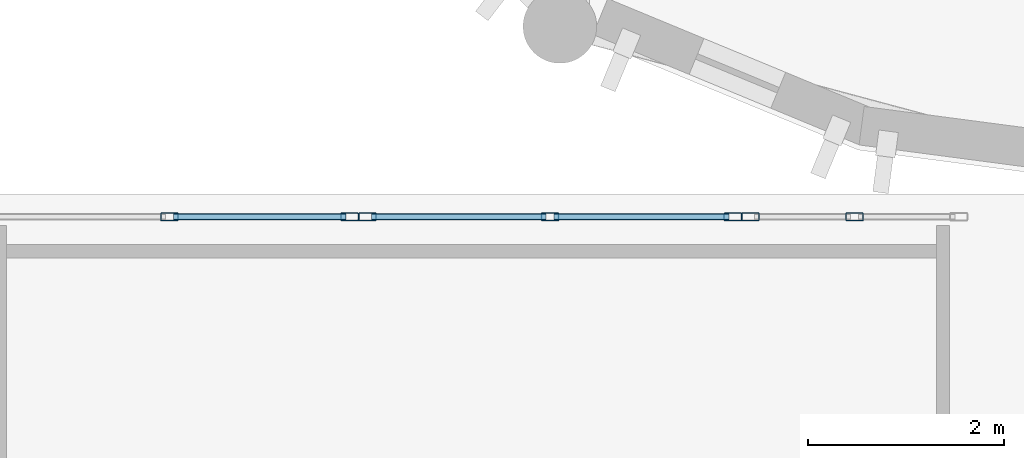
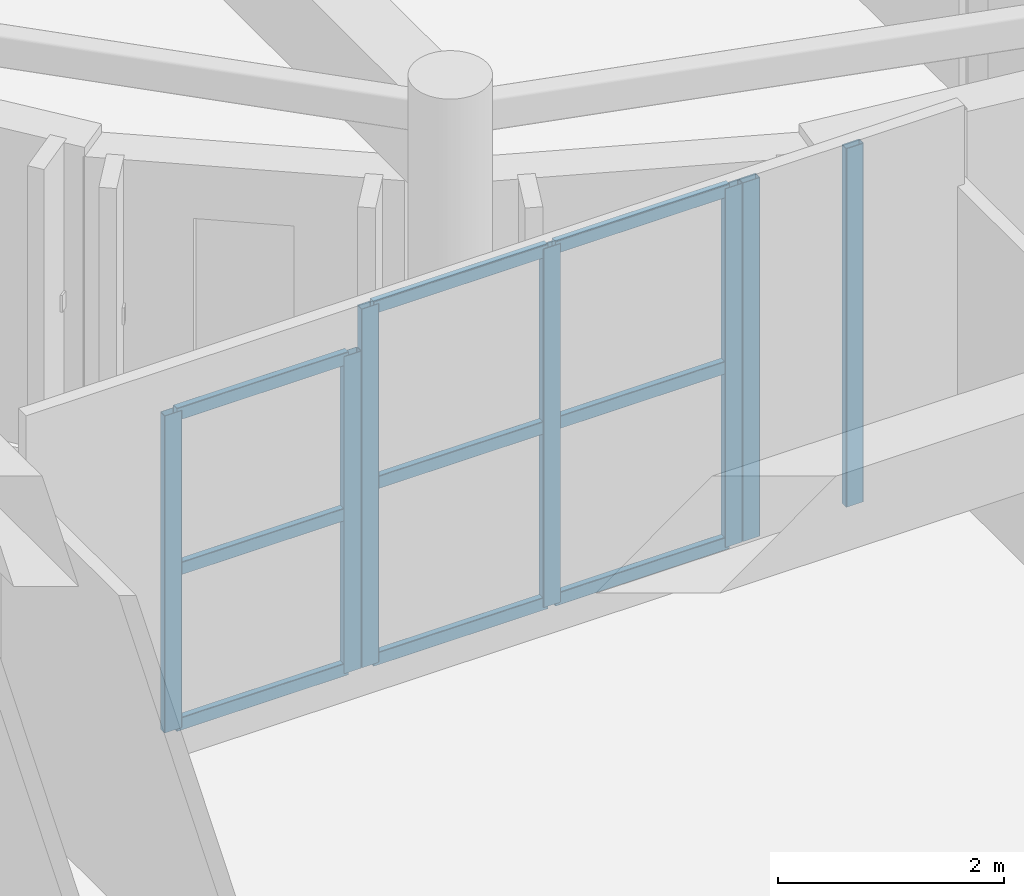
# One storey, part 37 of 91: 16 members, 3 elements without a shape of their own.
"""IFC4 building model written with IfcOpenShell, lengths in metres."""

from ifc_helpers import new_model, si_unit, direction, frame, origin, origin_2d, place, context, subcontext, project, spatial, hollow_rectangle, extrude, material, layer, layer_set, material_profile, profile_set, type_object, element, aggregate, save


model = new_model("IFC4")

# Units and contexts
model_context = context("Model", 3, precision=1e-05, world=origin(), true_north=direction((0.0, 1.0)))
body_context = subcontext(model_context, "Body", "Model", "MODEL_VIEW")
ifc_project = project(units=[si_unit("LENGTHUNIT", "METRE"), si_unit("AREAUNIT", "SQUARE_METRE"), si_unit("VOLUMEUNIT", "CUBIC_METRE"), si_unit("PLANEANGLEUNIT", "RADIAN"), si_unit("MASSUNIT", "GRAM", prefix="KILO")], contexts=[model_context])

# Site, building, storey
site_placement = place(None, origin())
site = spatial("IfcSite", under=ifc_project, at=site_placement, CompositionType="ELEMENT")
building_placement = place(site_placement, origin())
building = spatial("IfcBuilding", under=site, at=building_placement, Name="Tarnavel Promenade Courthouse", CompositionType="ELEMENT")
storey_placement = place(building_placement, frame((0.0, 0.0, 9.89990234375)))
storey = spatial("IfcBuildingStorey", under=building, at=storey_placement, Name="L03", CompositionType="ELEMENT", Elevation=9.89990234375)

# Curtain wall, members
ifc_material_1 = material(Name="Thermally Broken Anodised Aluminium Curtain Wall System", Category="aluminium")
ifc_layer = layer(ifc_material_1, 0.2099609375)
ifc_layer_set = layer_set([ifc_layer], Name="Thermally Broken Anodised Aluminium Curtain Wall System")
curtain_wall_type = type_object("IfcCurtainWallType", Name="Thermally Broken Aluminium Triple-Glazed Curtain Wall CW-WG-N", PredefinedType="NOTDEFINED", material=ifc_layer_set)
curtain_wall_1_placement = place(storey_placement, origin())
curtain_wall_1 = element("IfcCurtainWall", 1, at=curtain_wall_1_placement, inside=storey, type_object=curtain_wall_type, Name="L03 Winter-Garden North Curtain Wall 114", PredefinedType="NOTDEFINED")
ifc_material_2 = material(Name="Thermally Broken Anodised Aluminium Frame", Category="aluminium")
ifc_material_profile_1 = material_profile(ifc_material_2, hollow_rectangle(XDim=0.080078125, YDim=0.179931640625, WallThickness=0.0048828125, InnerFilletRadius=0.0048828125, OuterFilletRadius=0.010009765625, at=origin_2d()), Name="CWM 180x80x5")
ifc_profile_set_1 = profile_set([ifc_material_profile_1], Name="Thermally Broken Anodised Aluminium Frame")
member_type_1 = type_object("IfcMemberType", Name="Thermally Broken Anodised Aluminium CWM-155 (CWM 180x80x5)", PredefinedType="MULLION", material=ifc_profile_set_1)
member_1_placement = place(storey_placement, frame((48.52490234375, 78.949951171875, 0.0), z_axis=(0.0, 0.0, 1.0), x_axis=(0.0, 1.0, 0.0)))
member_1 = element("IfcMember", 2, at=member_1_placement, type_object=member_type_1, Name="CW-03 mullion 2", PredefinedType="MULLION", context=body_context, shape_type="SweptSolid", body=[
    extrude(hollow_rectangle(XDim=0.080078125, YDim=0.179931640625, WallThickness=0.0048828125, InnerFilletRadius=0.0048828125, OuterFilletRadius=0.010009765625, at=origin_2d()), origin(), (0.0, 0.0, 1.0), 3.43017578125),
])
member_2_placement = place(storey_placement, frame((50.360107421875, 78.949951171875, 0.0), z_axis=(0.0, 0.0, 1.0), x_axis=(0.0, 1.0, 0.0)))
member_2 = element("IfcMember", 3, at=member_2_placement, type_object=member_type_1, Name="CW-03 mullion 3", PredefinedType="MULLION", context=body_context, shape_type="SweptSolid", body=[
    extrude(hollow_rectangle(XDim=0.080078125, YDim=0.179931640625, WallThickness=0.0048828125, InnerFilletRadius=0.0048828125, OuterFilletRadius=0.010009765625, at=origin_2d()), origin(), (0.0, 0.0, 1.0), 3.43017578125),
])

curtain_wall_2_placement = place(storey_placement, origin())
curtain_wall_2 = element("IfcCurtainWall", 4, at=curtain_wall_2_placement, inside=storey, type_object=curtain_wall_type, Name="L03 Winter-Garden North Curtain Wall 115", PredefinedType="NOTDEFINED")
member_3_placement = place(storey_placement, frame((50.5400390625, 78.949951171875, 0.0), z_axis=(0.0, 0.0, 1.0), x_axis=(0.0, 1.0, 0.0)))
member_3 = element("IfcMember", 5, at=member_3_placement, type_object=member_type_1, Name="CW-03 mullion 1", PredefinedType="MULLION", context=body_context, shape_type="SweptSolid", body=[
    extrude(hollow_rectangle(XDim=0.080078125, YDim=0.179931640625, WallThickness=0.0048828125, InnerFilletRadius=0.0048828125, OuterFilletRadius=0.010009765625, at=origin_2d()), origin(), (0.0, 0.0, 1.0), 3.880126953125),
])
member_4_placement = place(storey_placement, frame((52.39990234375, 78.949951171875, 0.0), z_axis=(0.0, 0.0, 1.0), x_axis=(0.0, 1.0, 0.0)))
member_4 = element("IfcMember", 6, at=member_4_placement, type_object=member_type_1, Name="CW-03 mullion 2", PredefinedType="MULLION", context=body_context, shape_type="SweptSolid", body=[
    extrude(hollow_rectangle(XDim=0.080078125, YDim=0.179931640625, WallThickness=0.0048828125, InnerFilletRadius=0.0048828125, OuterFilletRadius=0.010009765625, at=origin_2d()), origin(), (0.0, 0.0, 1.0), 3.880126953125),
])
member_5_placement = place(storey_placement, frame((54.260009765625, 78.949951171875, 0.0), z_axis=(0.0, 0.0, 1.0), x_axis=(0.0, 1.0, 0.0)))
member_5 = element("IfcMember", 7, at=member_5_placement, type_object=member_type_1, Name="CW-03 mullion 3", PredefinedType="MULLION", context=body_context, shape_type="SweptSolid", body=[
    extrude(hollow_rectangle(XDim=0.080078125, YDim=0.179931640625, WallThickness=0.0048828125, InnerFilletRadius=0.0048828125, OuterFilletRadius=0.010009765625, at=origin_2d()), origin(), (0.0, 0.0, 1.0), 3.880126953125),
])

curtain_wall_3_placement = place(storey_placement, origin())
curtain_wall_3 = element("IfcCurtainWall", 8, at=curtain_wall_3_placement, inside=storey, type_object=curtain_wall_type, Name="L03 Winter-Garden North Curtain Wall 116", PredefinedType="NOTDEFINED")
member_6_placement = place(storey_placement, frame((54.43994140625, 78.949951171875, 0.0), z_axis=(0.0, 0.0, 1.0), x_axis=(0.0, 1.0, 0.0)))
member_6 = element("IfcMember", 9, at=member_6_placement, type_object=member_type_1, Name="CW-03 mullion 1", PredefinedType="MULLION", context=body_context, shape_type="SweptSolid", body=[
    extrude(hollow_rectangle(XDim=0.080078125, YDim=0.179931640625, WallThickness=0.0048828125, InnerFilletRadius=0.0048828125, OuterFilletRadius=0.010009765625, at=origin_2d()), origin(), (0.0, 0.0, 1.0), 3.880126953125),
])
member_7_placement = place(storey_placement, frame((55.5, 78.949951171875, 0.0), z_axis=(0.0, 0.0, 1.0), x_axis=(0.0, 1.0, 0.0)))
member_7 = element("IfcMember", 10, at=member_7_placement, type_object=member_type_1, Name="CW-03 mullion 2", PredefinedType="MULLION", context=body_context, shape_type="SweptSolid", body=[
    extrude(hollow_rectangle(XDim=0.080078125, YDim=0.179931640625, WallThickness=0.0048828125, InnerFilletRadius=0.0048828125, OuterFilletRadius=0.010009765625, at=origin_2d()), origin(), (0.0, 0.0, 1.0), 3.880126953125),
])
aggregate(curtain_wall_3, [member_6, member_7])

# Member
ifc_material_profile_2 = material_profile(ifc_material_2, hollow_rectangle(XDim=0.070068359375, YDim=0.139892578125, WallThickness=0.0048828125, InnerFilletRadius=0.0048828125, OuterFilletRadius=0.010009765625, at=origin_2d()), Name="CWT 140x70x5")
ifc_profile_set_2 = profile_set([ifc_material_profile_2], Name="Thermally Broken Anodised Aluminium Frame")
member_type_2 = type_object("IfcMemberType", Name="Thermally Broken Anodised Aluminium CWT-125 (CWT 140x70x5)", PredefinedType="USERDEFINED", material=ifc_profile_set_2)
member_8_placement = place(storey_placement, frame((48.56494140625, 78.949951171875, 0.03515625), z_axis=(1.0, 0.0, 0.0), x_axis=(0.0, 1.0, 0.0)))
member_8 = element("IfcMember", 11, at=member_8_placement, type_object=member_type_2, Name="CW-03 transom 2.1", ObjectType="TRANSOM", PredefinedType="USERDEFINED", context=body_context, shape_type="SweptSolid", body=[
    extrude(hollow_rectangle(XDim=0.070068359375, YDim=0.139892578125, WallThickness=0.0048828125, InnerFilletRadius=0.0048828125, OuterFilletRadius=0.010009765625, at=origin_2d()), origin(), (0.0, 0.0, 1.0), 1.755126953125),
])

member_9_placement = place(storey_placement, frame((48.56494140625, 78.949951171875, 1.715087890625), z_axis=(1.0, 0.0, 0.0), x_axis=(0.0, 1.0, 0.0)))
member_9 = element("IfcMember", 12, at=member_9_placement, type_object=member_type_2, Name="CW-03 transom 2.2", ObjectType="TRANSOM", PredefinedType="USERDEFINED", context=body_context, shape_type="SweptSolid", body=[
    extrude(hollow_rectangle(XDim=0.070068359375, YDim=0.139892578125, WallThickness=0.0048828125, InnerFilletRadius=0.0048828125, OuterFilletRadius=0.010009765625, at=origin_2d()), origin(), (0.0, 0.0, 1.0), 1.755126953125),
])

member_10_placement = place(storey_placement, frame((48.56494140625, 78.949951171875, 3.39501953125), z_axis=(1.0, 0.0, 0.0), x_axis=(0.0, 1.0, 0.0)))
member_10 = element("IfcMember", 13, at=member_10_placement, type_object=member_type_2, Name="CW-03 transom 2.3", ObjectType="TRANSOM", PredefinedType="USERDEFINED", context=body_context, shape_type="SweptSolid", body=[
    extrude(hollow_rectangle(XDim=0.070068359375, YDim=0.139892578125, WallThickness=0.0048828125, InnerFilletRadius=0.0048828125, OuterFilletRadius=0.010009765625, at=origin_2d()), origin(), (0.0, 0.0, 1.0), 1.755126953125),
])

aggregate(curtain_wall_1, [member_1, member_2, member_8, member_9, member_10])

member_11_placement = place(storey_placement, frame((50.580078125, 78.949951171875, 0.03515625), z_axis=(1.0, 0.0, 0.0), x_axis=(0.0, 1.0, 0.0)))
member_11 = element("IfcMember", 14, at=member_11_placement, type_object=member_type_2, Name="CW-03 transom 1.1", ObjectType="TRANSOM", PredefinedType="USERDEFINED", context=body_context, shape_type="SweptSolid", body=[
    extrude(hollow_rectangle(XDim=0.070068359375, YDim=0.139892578125, WallThickness=0.0048828125, InnerFilletRadius=0.0048828125, OuterFilletRadius=0.010009765625, at=origin_2d()), origin(), (0.0, 0.0, 1.0), 1.780029296875),
])

member_12_placement = place(storey_placement, frame((50.580078125, 78.949951171875, 1.940185546875), z_axis=(1.0, 0.0, 0.0), x_axis=(0.0, 1.0, 0.0)))
member_12 = element("IfcMember", 15, at=member_12_placement, type_object=member_type_2, Name="CW-03 transom 1.2", ObjectType="TRANSOM", PredefinedType="USERDEFINED", context=body_context, shape_type="SweptSolid", body=[
    extrude(hollow_rectangle(XDim=0.070068359375, YDim=0.139892578125, WallThickness=0.0048828125, InnerFilletRadius=0.0048828125, OuterFilletRadius=0.010009765625, at=origin_2d()), origin(), (0.0, 0.0, 1.0), 1.780029296875),
])

member_13_placement = place(storey_placement, frame((50.580078125, 78.949951171875, 3.84521484375), z_axis=(1.0, 0.0, 0.0), x_axis=(0.0, 1.0, 0.0)))
member_13 = element("IfcMember", 16, at=member_13_placement, type_object=member_type_2, Name="CW-03 transom 1.3", ObjectType="TRANSOM", PredefinedType="USERDEFINED", context=body_context, shape_type="SweptSolid", body=[
    extrude(hollow_rectangle(XDim=0.070068359375, YDim=0.139892578125, WallThickness=0.0048828125, InnerFilletRadius=0.0048828125, OuterFilletRadius=0.010009765625, at=origin_2d()), origin(), (0.0, 0.0, 1.0), 1.780029296875),
])

member_14_placement = place(storey_placement, frame((52.43994140625, 78.949951171875, 0.03515625), z_axis=(1.0, 0.0, 0.0), x_axis=(0.0, 1.0, 0.0)))
member_14 = element("IfcMember", 17, at=member_14_placement, type_object=member_type_2, Name="CW-03 transom 2.1", ObjectType="TRANSOM", PredefinedType="USERDEFINED", context=body_context, shape_type="SweptSolid", body=[
    extrude(hollow_rectangle(XDim=0.070068359375, YDim=0.139892578125, WallThickness=0.0048828125, InnerFilletRadius=0.0048828125, OuterFilletRadius=0.010009765625, at=origin_2d()), origin(), (0.0, 0.0, 1.0), 1.780029296875),
])

member_15_placement = place(storey_placement, frame((52.43994140625, 78.949951171875, 1.940185546875), z_axis=(1.0, 0.0, 0.0), x_axis=(0.0, 1.0, 0.0)))
member_15 = element("IfcMember", 18, at=member_15_placement, type_object=member_type_2, Name="CW-03 transom 2.2", ObjectType="TRANSOM", PredefinedType="USERDEFINED", context=body_context, shape_type="SweptSolid", body=[
    extrude(hollow_rectangle(XDim=0.070068359375, YDim=0.139892578125, WallThickness=0.0048828125, InnerFilletRadius=0.0048828125, OuterFilletRadius=0.010009765625, at=origin_2d()), origin(), (0.0, 0.0, 1.0), 1.780029296875),
])

member_16_placement = place(storey_placement, frame((52.43994140625, 78.949951171875, 3.84521484375), z_axis=(1.0, 0.0, 0.0), x_axis=(0.0, 1.0, 0.0)))
member_16 = element("IfcMember", 19, at=member_16_placement, type_object=member_type_2, Name="CW-03 transom 2.3", ObjectType="TRANSOM", PredefinedType="USERDEFINED", context=body_context, shape_type="SweptSolid", body=[
    extrude(hollow_rectangle(XDim=0.070068359375, YDim=0.139892578125, WallThickness=0.0048828125, InnerFilletRadius=0.0048828125, OuterFilletRadius=0.010009765625, at=origin_2d()), origin(), (0.0, 0.0, 1.0), 1.780029296875),
])

aggregate(curtain_wall_2, [member_3, member_4, member_5, member_11, member_12, member_13, member_14, member_15, member_16])

save(model, "model.ifc")
